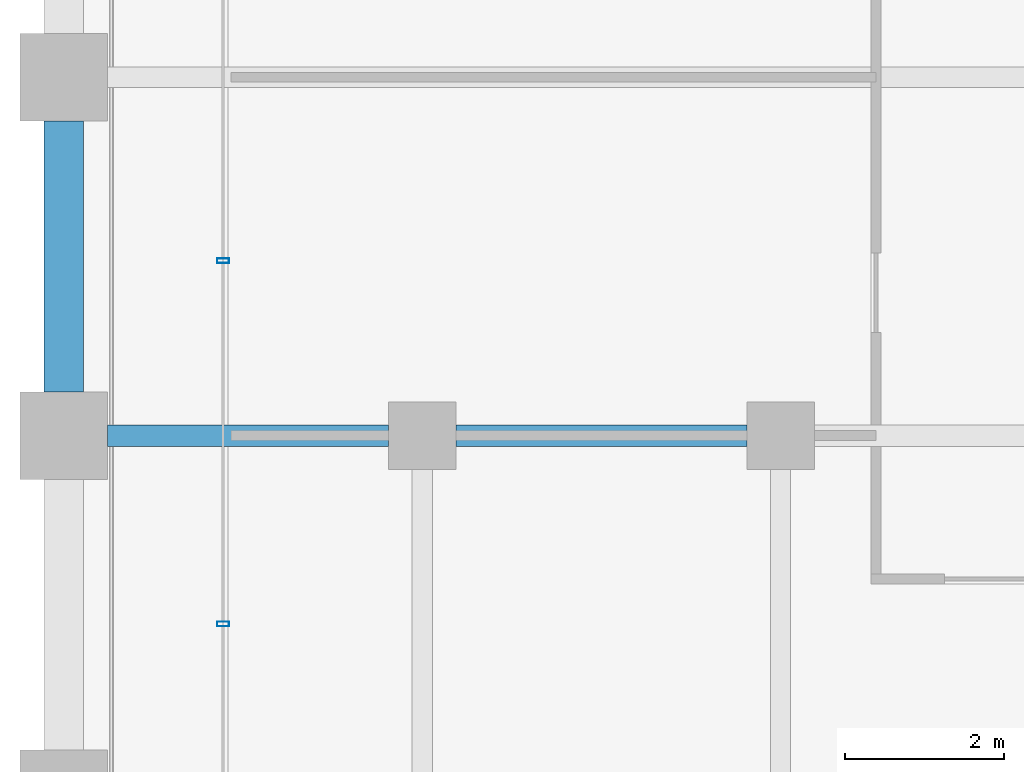
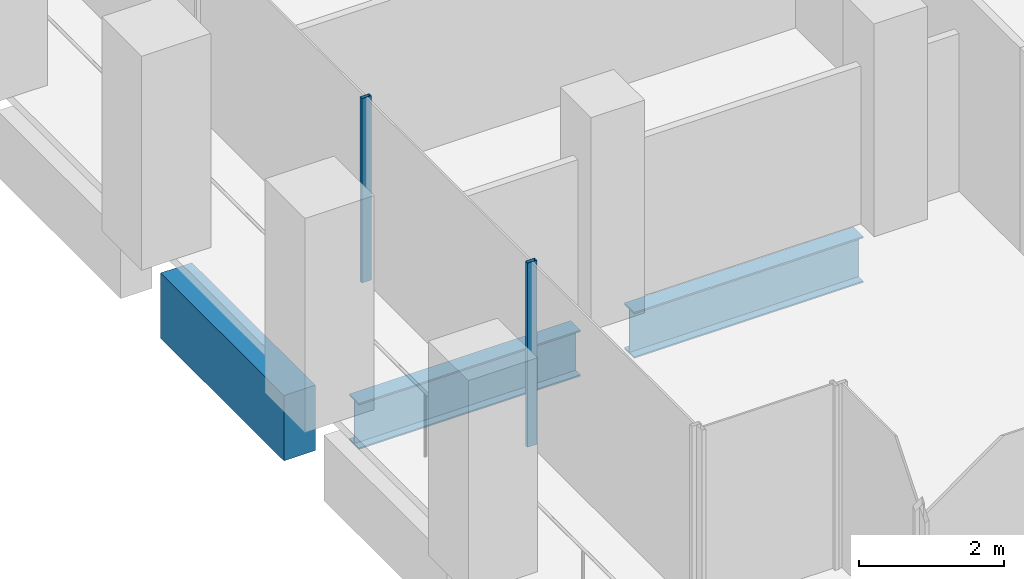
# One storey, part 5 of 56: 3 beams, 2 members, 1 element without a shape of its own.
"""IFC4 building model written with IfcOpenShell, lengths in metres."""

from ifc_helpers import new_model, si_unit, direction, frame, origin, origin_2d, place, context, subcontext, project, spatial, rectangle, hollow_rectangle, i_section, extrude, material, material_profile, profile_set, type_object, element, aggregate, save


model = new_model("IFC4")

# Units and contexts
model_context = context("Model", 3, precision=1e-05, world=origin(), true_north=direction((0.0, 1.0)))
body_context = subcontext(model_context, "Body", "Model", "MODEL_VIEW")
ifc_project = project(units=[si_unit("LENGTHUNIT", "METRE"), si_unit("AREAUNIT", "SQUARE_METRE"), si_unit("VOLUMEUNIT", "CUBIC_METRE"), si_unit("PLANEANGLEUNIT", "RADIAN"), si_unit("MASSUNIT", "GRAM", prefix="KILO")], contexts=[model_context])

# Site, building, storey
site_placement = place(None, origin())
site = spatial("IfcSite", under=ifc_project, at=site_placement, CompositionType="ELEMENT")
building_placement = place(site_placement, origin())
building = spatial("IfcBuilding", under=site, at=building_placement, Name="Altepetl Exchange Towers", CompositionType="ELEMENT")
storey_placement = place(building_placement, frame((0.0, 0.0, 69.0)))
storey = spatial("IfcBuildingStorey", under=building, at=storey_placement, Name="L16", CompositionType="ELEMENT", Elevation=69.0)

# Beams
ifc_material_1 = material(Name="Steel S355", Category="steel")
ifc_material_profile_1 = material_profile(ifc_material_1, i_section(OverallWidth=0.26806640625, OverallDepth=0.77392578125, WebThickness=0.015380859375, FlangeThickness=0.025390625, at=origin_2d()), Name="W30X132")
ifc_profile_set_1 = profile_set([ifc_material_profile_1], Name="Steel S355")
beam_type_1 = type_object("IfcBeamType", Name="Girder W30X132", PredefinedType="BEAM", material=ifc_profile_set_1)
beam_1_placement = place(storey_placement, frame((35.574951171875, 40.5, -0.537109375), z_axis=(-1.0, 0.0, 0.0), x_axis=(0.0, -1.0, 0.0)))
element("IfcBeam", 1, at=beam_1_placement, inside=storey, type_object=beam_type_1, Name="gd:A:L16:010", PredefinedType="BEAM", context=body_context, shape_type="SweptSolid", body=[
    extrude(i_section(OverallWidth=0.26806640625, OverallDepth=0.77392578125, WebThickness=0.015380859375, FlangeThickness=0.025390625, at=origin_2d()), origin(), (0.0, 0.0, 1.0), 3.64990234375),
])
beam_2_placement = place(storey_placement, frame((31.074951171875, 40.5, -0.537109375), z_axis=(-1.0, 0.0, 0.0), x_axis=(0.0, -1.0, 0.0)))
element("IfcBeam", 2, at=beam_2_placement, inside=storey, type_object=beam_type_1, Name="gd:A:L16:011", PredefinedType="BEAM", context=body_context, shape_type="SweptSolid", body=[
    extrude(i_section(OverallWidth=0.26806640625, OverallDepth=0.77392578125, WebThickness=0.015380859375, FlangeThickness=0.025390625, at=origin_2d()), origin(), (0.0, 0.0, 1.0), 3.52490234375),
])

# Curtain wall, members
ifc_material_2 = material(Name="Aluminium 6063-T6 glazing", Category="aluminium")
curtain_wall_type = type_object("IfcCurtainWallType", Name="Loggia glazing system", PredefinedType="NOTDEFINED", material=ifc_material_2)
curtain_wall_placement = place(storey_placement, origin())
curtain_wall = element("IfcCurtainWall", 3, at=curtain_wall_placement, inside=storey, type_object=curtain_wall_type, Name="CW1 run", PredefinedType="NOTDEFINED")
ifc_material_3 = material(Name="Aluminium 6063-T6", Category="aluminium")
ifc_material_profile_2 = material_profile(ifc_material_3, hollow_rectangle(XDim=0.06005859375, YDim=0.14990234375, WallThickness=0.0029296875, at=origin_2d()), Name="Mullion 60x150 aluminium")
ifc_profile_set_2 = profile_set([ifc_material_profile_2], Name="Aluminium 6063-T6")
member_type = type_object("IfcMemberType", Name="Mullion 60x150 aluminium", PredefinedType="MULLION", material=ifc_profile_set_2)
member_1_placement = place(storey_placement, frame((29.0, 42.696533203125, 0.0), z_axis=(0.0, 0.0, 1.0), x_axis=(0.0, -1.0, 0.0)))
member_1 = element("IfcMember", 4, at=member_1_placement, type_object=member_type, Name="MU1 mullion", PredefinedType="MULLION", context=body_context, shape_type="SweptSolid", body=[
    extrude(hollow_rectangle(XDim=0.06005859375, YDim=0.14990234375, WallThickness=0.0029296875, at=origin_2d()), origin(), (0.0, 0.0, 1.0), 3.10009765625),
])
member_2_placement = place(storey_placement, frame((29.0, 38.1357421875, 0.0), z_axis=(0.0, 0.0, 1.0), x_axis=(0.0, -1.0, 0.0)))
member_2 = element("IfcMember", 5, at=member_2_placement, type_object=member_type, Name="MU1 mullion", PredefinedType="MULLION", context=body_context, shape_type="SweptSolid", body=[
    extrude(hollow_rectangle(XDim=0.06005859375, YDim=0.14990234375, WallThickness=0.0029296875, at=origin_2d()), origin(), (0.0, 0.0, 1.0), 3.10009765625),
])
aggregate(curtain_wall, [member_1, member_2])

# Beam
ifc_material_4 = material(Name="Concrete C50/60 precast with tezontle facing", Category="concrete")
ifc_material_profile_3 = material_profile(ifc_material_4, rectangle(XDim=0.5, YDim=1.10009765625, at=origin_2d()), Name="500 x 1100")
ifc_profile_set_3 = profile_set([ifc_material_profile_3], Name="Concrete C50/60 precast with tezontle facing")
beam_type_2 = type_object("IfcBeamType", Name="Spandrel beam 500x1100 tezontle", PredefinedType="SPANDREL", material=ifc_profile_set_3)
beam_3_placement = place(storey_placement, frame((27.0, 44.449951171875, -0.699951171875), z_axis=(0.0, -1.0, 0.0), x_axis=(1.0, 0.0, 0.0)))
element("IfcBeam", 6, at=beam_3_placement, inside=storey, type_object=beam_type_2, Name="sp:A:L16:041", PredefinedType="SPANDREL", context=body_context, shape_type="SweptSolid", body=[
    extrude(rectangle(XDim=0.5, YDim=1.10009765625, at=origin_2d()), origin(), (0.0, 0.0, 1.0), 3.39990234375),
])

save(model, "model.ifc")
